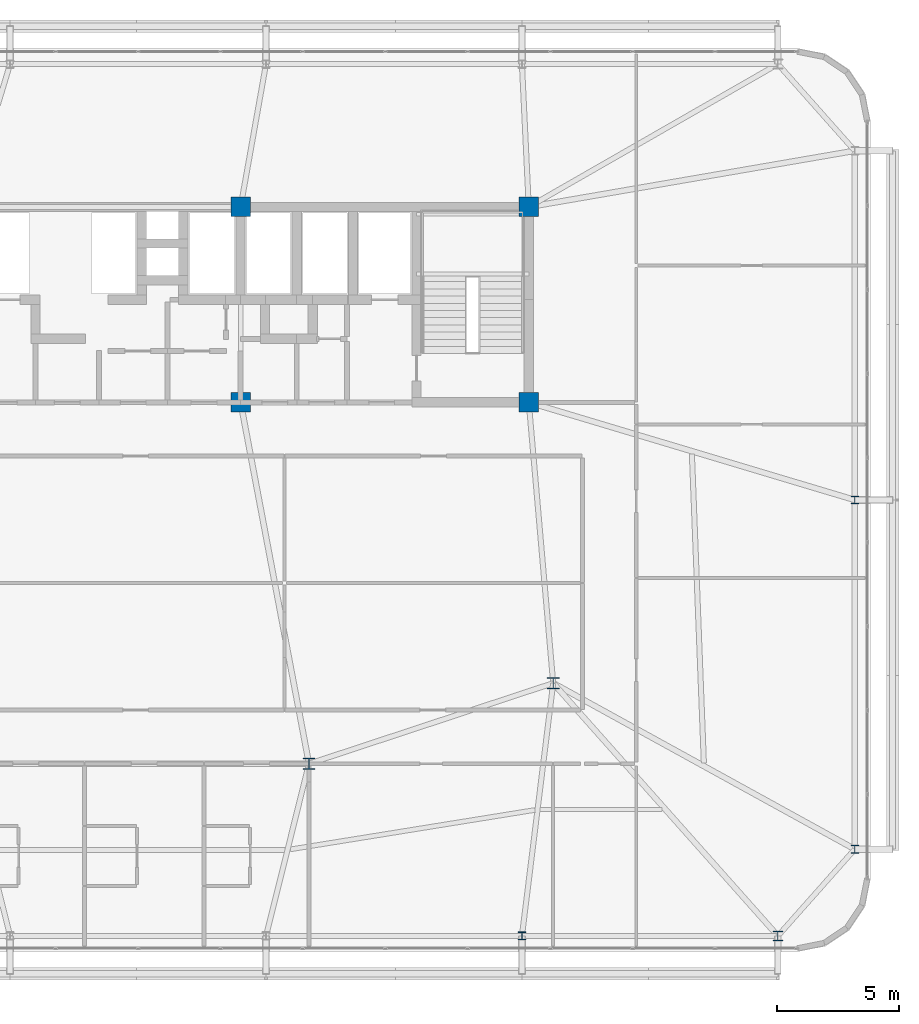
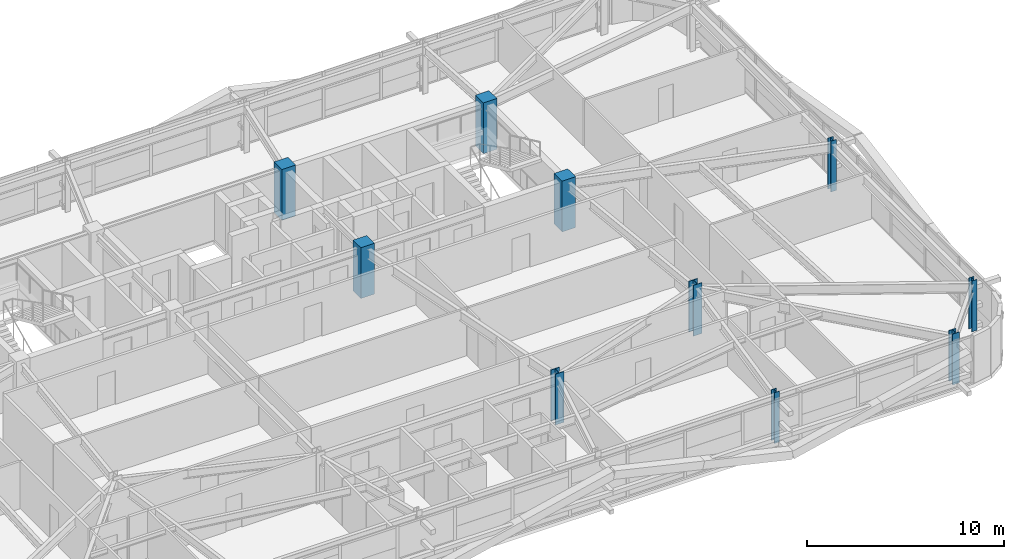
# One storey, part 2 of 59: 10 columns.
"""IFC4 building model written with IfcOpenShell, lengths in metres."""

from ifc_helpers import new_model, si_unit, direction, frame, origin, origin_2d, place, context, subcontext, project, spatial, rectangle, i_section, extrude, source, transform, mapped, material, material_profile, profile_set, type_object, element, save


model = new_model("IFC4")

# Units and contexts
model_context = context("Model", 3, precision=1e-05, world=origin(), true_north=direction((0.0, 1.0)))
body_context = subcontext(model_context, "Body", "Model", "MODEL_VIEW")
ifc_project = project(units=[si_unit("LENGTHUNIT", "METRE"), si_unit("AREAUNIT", "SQUARE_METRE"), si_unit("VOLUMEUNIT", "CUBIC_METRE"), si_unit("PLANEANGLEUNIT", "RADIAN"), si_unit("MASSUNIT", "GRAM", prefix="KILO")], contexts=[model_context])

# Site, building, storey
site_placement = place(None, origin())
site = spatial("IfcSite", under=ifc_project, at=site_placement, CompositionType="ELEMENT")
building_placement = place(site_placement, origin())
building = spatial("IfcBuilding", under=site, at=building_placement, Name="Taldren Reach Tower", CompositionType="ELEMENT")
storey_placement = place(building_placement, frame((0.0, 0.0, 48.300048828125)))
storey = spatial("IfcBuildingStorey", under=building, at=storey_placement, Name="L14", CompositionType="ELEMENT", Elevation=48.300048828125)

# Columns
ifc_material_1 = material(Name="Steel Gr 350 (350PLUS)", Category="steel")
ifc_material_profile_1 = material_profile(ifc_material_1, i_section(OverallWidth=0.5, OverallDepth=0.47998046875, WebThickness=0.028076171875, FlangeThickness=0.0439453125, at=origin_2d()), Name="500WC440")
ifc_profile_set_1 = profile_set([ifc_material_profile_1], Name="Steel Gr 350 (350PLUS)")
column_type_1 = type_object("IfcColumnType", Name="COL-WC500A", PredefinedType="COLUMN", material=ifc_profile_set_1)
shared_shape_1 = source(origin(), body_context, "Body", "SweptSolid", [
    extrude(i_section(OverallWidth=0.5, OverallDepth=0.47998046875, WebThickness=0.028076171875, FlangeThickness=0.0439453125, at=origin_2d()), origin(), (0.0, 0.0, 1.0), 3.14990234375),
])
column_1_placement = place(storey_placement, frame((42.0, 9.199951171875, 0.0), z_axis=(0.0, 0.0, 1.0), x_axis=(1.0, 0.0, 0.0)))
element("IfcColumn", 1, at=column_1_placement, inside=storey, type_object=column_type_1, Name="Mega column MC-PJE L14", PredefinedType="COLUMN", context=body_context, shape_type="MappedRepresentation", body=[
    mapped(shared_shape_1, transform((0.0, 0.0, 0.0), scale=1.0)),
])
ifc_material_profile_2 = material_profile(ifc_material_1, i_section(OverallWidth=0.39990234375, OverallDepth=0.39599609375, WebThickness=0.02197265625, FlangeThickness=0.033935546875, at=origin_2d()), Name="400WC270")
ifc_profile_set_2 = profile_set([ifc_material_profile_2], Name="Steel Gr 350 (350PLUS)")
column_type_2 = type_object("IfcColumnType", Name="COL-WC400", PredefinedType="COLUMN", material=ifc_profile_set_2)
shared_shape_2 = source(origin(), body_context, "Body", "SweptSolid", [
    extrude(i_section(OverallWidth=0.39990234375, OverallDepth=0.39599609375, WebThickness=0.02197265625, FlangeThickness=0.033935546875, at=origin_2d()), origin(), (0.0, 0.0, 1.0), 3.14990234375),
])
column_2_placement = place(storey_placement, frame((61.199951171875, 2.14990234375, 0.0), z_axis=(0.0, 0.0, 1.0), x_axis=(1.0, 0.0, 0.0)))
element("IfcColumn", 2, at=column_2_placement, inside=storey, type_object=column_type_2, Name="Block B1 perimeter column S6 L14", PredefinedType="COLUMN", context=body_context, shape_type="MappedRepresentation", body=[
    mapped(shared_shape_2, transform((0.0, 0.0, 0.0), scale=1.0)),
])
ifc_material_profile_3 = material_profile(ifc_material_1, i_section(OverallWidth=0.31103515625, OverallDepth=0.326904296875, WebThickness=0.015625, FlangeThickness=0.02490234375, at=origin_2d()), Name="310UC158")
ifc_profile_set_3 = profile_set([ifc_material_profile_3], Name="Steel Gr 350 (350PLUS)")
column_type_3 = type_object("IfcColumnType", Name="COL-UC310A", PredefinedType="COLUMN", material=ifc_profile_set_3)
shared_shape_3 = source(origin(), body_context, "Body", "SweptSolid", [
    extrude(i_section(OverallWidth=0.31103515625, OverallDepth=0.326904296875, WebThickness=0.015625, FlangeThickness=0.02490234375, at=origin_2d()), origin(), (0.0, 0.0, 1.0), 3.14990234375),
])
for number, where, z_axis, x_axis, name in (
    (3, (50.719970703125, 2.14990234375, 0.0), (0.0, 0.0, 1.0), (1.0, 0.0, 0.0), "Block B1 perimeter column S5 L14"),
    (4, (64.35009765625, 5.699951171875, 0.0), (0.0, 0.0, 1.0), (1.0, 0.0, 0.0), "Block B1 perimeter column E1 L14"),
    (5, (64.35009765625, 20.0, 0.0), (0.0, 0.0, 1.0), (1.0, 0.0, 0.0), "Block B1 perimeter column E2 L14"),
):
    element("IfcColumn", number, at=place(storey_placement, frame(where, z_axis=z_axis, x_axis=x_axis)), inside=storey, type_object=column_type_3, Name=name, PredefinedType="COLUMN", context=body_context, shape_type="MappedRepresentation", body=[
        mapped(shared_shape_3, transform((0.0, 0.0, 0.0), scale=1.0)),
    ])
ifc_material_2 = material(Name="Concrete S65 (65 MPa)", Category="concrete")
ifc_material_profile_4 = material_profile(ifc_material_2, rectangle(XDim=0.800048828125, YDim=0.800048828125, at=origin_2d()), Name="RC-800x800")
ifc_profile_set_4 = profile_set([ifc_material_profile_4], Name="Concrete S65 (65 MPa)")
column_type_4 = type_object("IfcColumnType", Name="COL-RC800", PredefinedType="COLUMN", material=ifc_profile_set_4)
shared_shape_4 = source(origin(), body_context, "Body", "SweptSolid", [
    extrude(rectangle(XDim=0.800048828125, YDim=0.800048828125, at=origin_2d()), origin(), (0.0, 0.0, 1.0), 3.14990234375),
])
for number, where, z_axis, x_axis, name in (
    (6, (39.199951171875, 24.0, 0.0), (0.0, 0.0, 1.0), (1.0, 0.0, 0.0), "Mega column MC-C3 L14"),
    (7, (51.0, 24.0, 0.0), (0.0, 0.0, 1.0), (1.0, 0.0, 0.0), "Mega column MC-C4 L14"),
    (8, (39.199951171875, 32.0, 0.0), (0.0, 0.0, 1.0), (1.0, 0.0, 0.0), "Mega column MC-C7 L14"),
    (9, (51.0, 32.0, 0.0), (0.0, 0.0, 1.0), (1.0, 0.0, 0.0), "Mega column MC-C8 L14"),
):
    element("IfcColumn", number, at=place(storey_placement, frame(where, z_axis=z_axis, x_axis=x_axis)), inside=storey, type_object=column_type_4, Name=name, PredefinedType="COLUMN", context=body_context, shape_type="MappedRepresentation", body=[
        mapped(shared_shape_4, transform((0.0, 0.0, 0.0), scale=1.0)),
    ])
ifc_material_profile_5 = material_profile(ifc_material_1, i_section(OverallWidth=0.5, OverallDepth=0.464111328125, WebThickness=0.02197265625, FlangeThickness=0.033935546875, at=origin_2d()), Name="500WC340")
ifc_profile_set_5 = profile_set([ifc_material_profile_5], Name="Steel Gr 350 (350PLUS)")
column_type_5 = type_object("IfcColumnType", Name="COL-WC500B", PredefinedType="COLUMN", material=ifc_profile_set_5)
shared_shape_5 = source(origin(), body_context, "Body", "SweptSolid", [
    extrude(i_section(OverallWidth=0.5, OverallDepth=0.464111328125, WebThickness=0.02197265625, FlangeThickness=0.033935546875, at=origin_2d()), origin(), (0.0, 0.0, 1.0), 3.14990234375),
])
column_3_placement = place(storey_placement, frame((52.0, 12.5, 0.0), z_axis=(0.0, 0.0, 1.0), x_axis=(1.0, 0.0, 0.0)))
element("IfcColumn", 10, at=column_3_placement, inside=storey, type_object=column_type_5, Name="Mega column MC-SE L14", PredefinedType="COLUMN", context=body_context, shape_type="MappedRepresentation", body=[
    mapped(shared_shape_5, transform((0.0, 0.0, 0.0), scale=1.0)),
])

save(model, "model.ifc")
